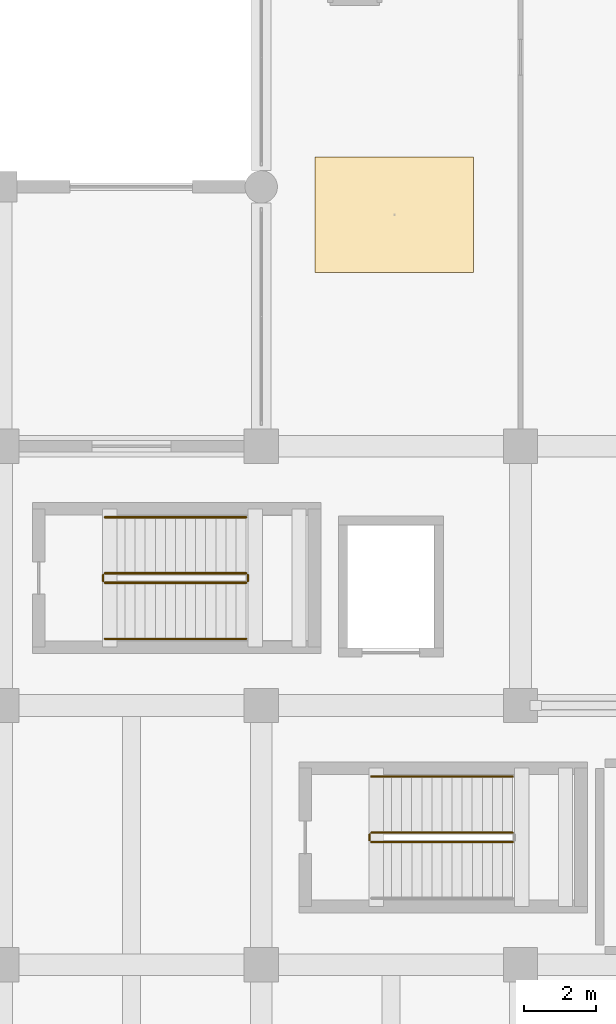
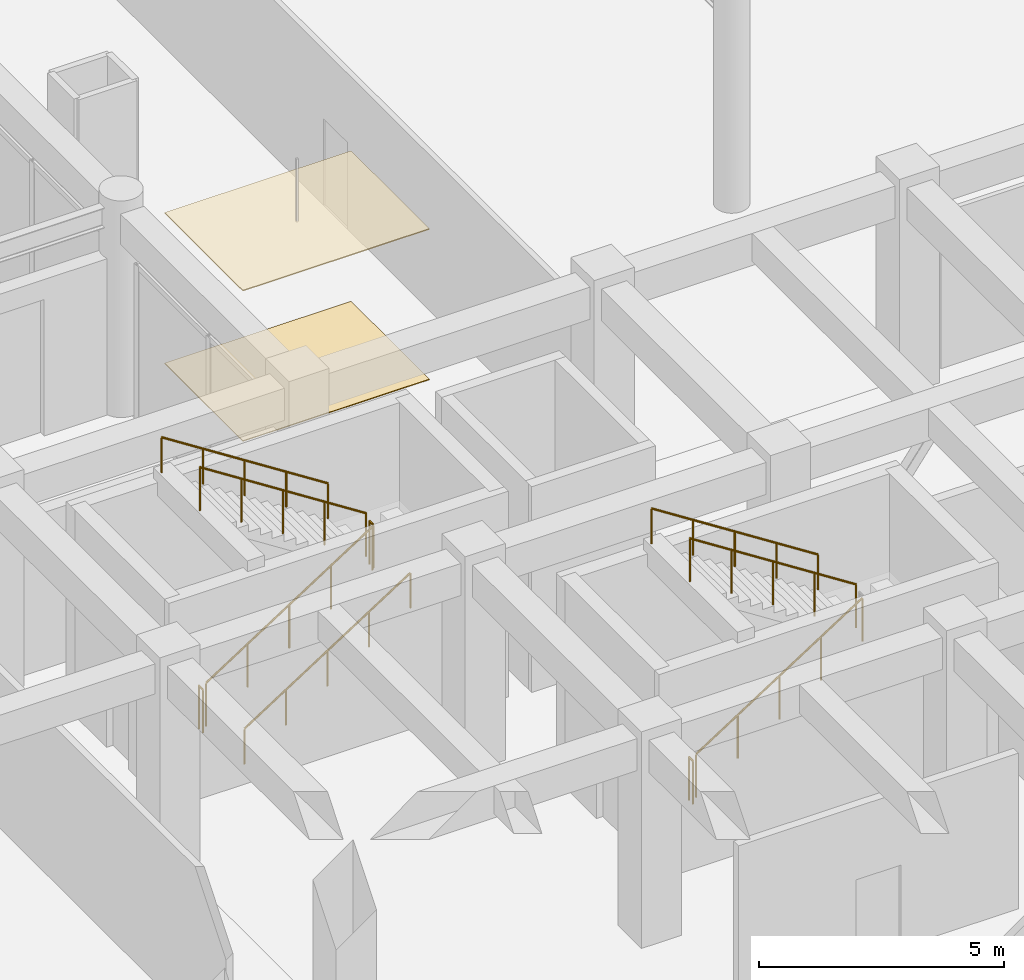
# One storey, part 49 of 56: 10 railings, 2 coverings.
"""IFC4 building model written with IfcOpenShell, lengths in metres."""

from ifc_helpers import new_model, si_unit, direction, frame, origin, origin_2d, place, context, subcontext, project, spatial, rectangle, circle, extrude, material, layer, layer_set, type_object, element, save


model = new_model("IFC4")

# Units and contexts
model_context = context("Model", 3, precision=1e-05, world=origin(), true_north=direction((0.0, 1.0)))
body_context = subcontext(model_context, "Body", "Model", "MODEL_VIEW")
ifc_project = project(units=[si_unit("LENGTHUNIT", "METRE"), si_unit("AREAUNIT", "SQUARE_METRE"), si_unit("VOLUMEUNIT", "CUBIC_METRE"), si_unit("PLANEANGLEUNIT", "RADIAN"), si_unit("MASSUNIT", "GRAM", prefix="KILO")], contexts=[model_context])

# Site, building, storey
site_placement = place(None, origin())
site = spatial("IfcSite", under=ifc_project, at=site_placement, CompositionType="ELEMENT")
building_placement = place(site_placement, origin())
building = spatial("IfcBuilding", under=site, at=building_placement, Name="Kazehaya Institute of Natural Sciences", CompositionType="ELEMENT")
storey_placement = place(building_placement, origin())
storey = spatial("IfcBuildingStorey", under=building, at=storey_placement, Name="L00", CompositionType="ELEMENT", Elevation=0.0)

# Coverings
ifc_material_1 = material(Name="Mineral-fibre acoustic ceiling tile")
ifc_layer_1 = layer(ifc_material_1, 0.02490234375, Name="Mineral-fibre acoustic ceiling tile")
ifc_layer_set_1 = layer_set([ifc_layer_1], Name="Mineral-fibre acoustic ceiling tile")
covering_type_1 = type_object("IfcCoveringType", Name="COV-CEIL-AC", PredefinedType="CEILING", material=ifc_layer_set_1)
covering_1_placement = place(storey_placement, frame((65.5, 42.025390625, 3.74755859375), z_axis=(0.0, 0.0, 1.0), x_axis=(1.0, 0.0, 0.0)))
element("IfcCovering", 1, at=covering_1_placement, inside=storey, type_object=covering_type_1, Name="L00 Public Science Cafe ceiling 10", PredefinedType="CEILING", context=body_context, shape_type="SweptSolid", body=[
    extrude(rectangle(XDim=4.39990234375, YDim=3.199951171875, at=origin_2d()), origin(), (0.0, 0.0, 1.0), 0.02490234375),
])
ifc_material_2 = material(Name="Polished Sawara stone terrazzo flooring", Category="masonry")
ifc_layer_2 = layer(ifc_material_2, 0.02001953125, Name="Polished Sawara stone terrazzo flooring", Category="masonry")
ifc_layer_set_2 = layer_set([ifc_layer_2], Name="Polished Sawara stone terrazzo flooring")
covering_type_2 = type_object("IfcCoveringType", Name="COV-FLR-TRZ", PredefinedType="FLOORING", material=ifc_layer_set_2)
covering_2_placement = place(storey_placement, frame((65.5, 42.025390625, 0.0), z_axis=(0.0, 0.0, 1.0), x_axis=(1.0, 0.0, 0.0)))
element("IfcCovering", 2, at=covering_2_placement, inside=storey, type_object=covering_type_2, Name="L00 Public Science Cafe finish flooring 10", PredefinedType="FLOORING", context=body_context, shape_type="SweptSolid", body=[
    extrude(rectangle(XDim=4.39990234375, YDim=3.199951171875, at=origin_2d()), origin(), (0.0, 0.0, 1.0), 0.02001953125),
])

# Railings
ifc_material_3 = material(Name="Structural steel SN490B", Category="steel")
railing_type_1 = type_object("IfcRailingType", Name="RL-STAIR-GRD", PredefinedType="GUARDRAIL", material=ifc_material_3)
railing_1_placement = place(storey_placement, frame((64.860107421875, 24.610107421875, 0.179931640625)))
element("IfcRailing", 3, at=railing_1_placement, inside=storey, type_object=railing_type_1, Name="L00 ST-1 stair guard 1", PredefinedType="GUARDRAIL", context=body_context, shape_type="SweptSolid", body=[
    extrude(circle(Radius=0.02392578125, at=origin_2d()), frame((0.0, 0.0, 1.076171875), z_axis=(0.841171666519, 0.0, 0.540768182723), x_axis=(0.0, 1.0, 0.0)), (0.0, 0.0, 1.0), 4.66015625),
    extrude(circle(Radius=0.02099609375, at=origin_2d()), origin(), (0.0, 0.0, 1.0), 1.052001953125),
    extrude(circle(Radius=0.02099609375, at=origin_2d()), frame((0.97998046875, 0.0, 0.6298828125)), (0.0, 0.0, 1.0), 1.052001953125),
    extrude(circle(Radius=0.02099609375, at=origin_2d()), frame((1.9599609375, 0.0, 1.260009765625)), (0.0, 0.0, 1.0), 1.052001953125),
    extrude(circle(Radius=0.02099609375, at=origin_2d()), frame((2.93994140625, 0.0, 1.89013671875)), (0.0, 0.0, 1.0), 1.052001953125),
    extrude(circle(Radius=0.02099609375, at=origin_2d()), frame((3.919921875, 0.0, 2.52001953125)), (0.0, 0.0, 1.0), 1.052001953125),
])
railing_2_placement = place(storey_placement, frame((68.780029296875, 24.8701171875, 2.8798828125)))
element("IfcRailing", 4, at=railing_2_placement, inside=storey, type_object=railing_type_1, Name="L00 ST-1 stair guard 3", PredefinedType="GUARDRAIL", context=body_context, shape_type="SweptSolid", body=[
    extrude(circle(Radius=0.02392578125, at=origin_2d()), frame((0.0, 0.0, 1.076171875), z_axis=(-0.841171666519, 0.0, 0.540768182723), x_axis=(0.0, -1.0, 0.0)), (0.0, 0.0, 1.0), 4.66015625),
    extrude(circle(Radius=0.02099609375, at=origin_2d()), origin(), (0.0, 0.0, 1.0), 1.052001953125),
    extrude(circle(Radius=0.02099609375, at=origin_2d()), frame((-0.97998046875, 0.0, 0.6298828125)), (0.0, 0.0, 1.0), 1.052001953125),
    extrude(circle(Radius=0.02099609375, at=origin_2d()), frame((-1.9599609375, 0.0, 1.260009765625)), (0.0, 0.0, 1.0), 1.052001953125),
    extrude(circle(Radius=0.02099609375, at=origin_2d()), frame((-2.93994140625, 0.0, 1.89013671875)), (0.0, 0.0, 1.0), 1.052001953125),
    extrude(circle(Radius=0.02099609375, at=origin_2d()), frame((-3.919921875, 0.0, 2.52001953125)), (0.0, 0.0, 1.0), 1.052001953125),
])
railing_3_placement = place(storey_placement, frame((64.81005859375, 24.659912109375, 0.0)))
element("IfcRailing", 5, at=railing_3_placement, inside=storey, type_object=railing_type_1, Name="L00 ST-1 stair guard 4", PredefinedType="GUARDRAIL", context=body_context, shape_type="SweptSolid", body=[
    extrude(circle(Radius=0.02392578125, at=origin_2d()), frame((0.0, 0.0, 1.076171875), z_axis=(0.0, 1.0, 0.0), x_axis=(-1.0, 0.0, 0.0)), (0.0, 0.0, 1.0), 0.16015625),
    extrude(circle(Radius=0.02099609375, at=origin_2d()), origin(), (0.0, 0.0, 1.0), 1.052001953125),
    extrude(circle(Radius=0.02099609375, at=origin_2d()), frame((0.0, 0.16015625, 0.0)), (0.0, 0.0, 1.0), 1.052001953125),
])
railing_4_placement = place(storey_placement, frame((57.4599609375, 31.81005859375, 0.179931640625)))
element("IfcRailing", 6, at=railing_4_placement, inside=storey, type_object=railing_type_1, Name="L00 ST-4 stair guard 1", PredefinedType="GUARDRAIL", context=body_context, shape_type="SweptSolid", body=[
    extrude(circle(Radius=0.02392578125, at=origin_2d()), frame((0.0, 0.0, 1.076171875), z_axis=(0.841171666519, 0.0, 0.540768182723), x_axis=(0.0, 1.0, 0.0)), (0.0, 0.0, 1.0), 4.66015625),
    extrude(circle(Radius=0.02099609375, at=origin_2d()), origin(), (0.0, 0.0, 1.0), 1.052001953125),
    extrude(circle(Radius=0.02099609375, at=origin_2d()), frame((0.97998046875, 0.0, 0.6298828125)), (0.0, 0.0, 1.0), 1.052001953125),
    extrude(circle(Radius=0.02099609375, at=origin_2d()), frame((1.9599609375, 0.0, 1.260009765625)), (0.0, 0.0, 1.0), 1.052001953125),
    extrude(circle(Radius=0.02099609375, at=origin_2d()), frame((2.93994140625, 0.0, 1.89013671875)), (0.0, 0.0, 1.0), 1.052001953125),
    extrude(circle(Radius=0.02099609375, at=origin_2d()), frame((3.919921875, 0.0, 2.52001953125)), (0.0, 0.0, 1.0), 1.052001953125),
])
railing_5_placement = place(storey_placement, frame((61.429931640625, 31.860107421875, 2.699951171875)))
element("IfcRailing", 7, at=railing_5_placement, inside=storey, type_object=railing_type_1, Name="L00 ST-4 stair guard 2", PredefinedType="GUARDRAIL", context=body_context, shape_type="SweptSolid", body=[
    extrude(circle(Radius=0.02392578125, at=origin_2d()), frame((0.0, 0.0, 1.076171875), z_axis=(0.0, 1.0, 0.0), x_axis=(-1.0, 0.0, 0.0)), (0.0, 0.0, 1.0), 0.159912109375),
    extrude(circle(Radius=0.02099609375, at=origin_2d()), origin(), (0.0, 0.0, 1.0), 1.052001953125),
    extrude(circle(Radius=0.02099609375, at=origin_2d()), frame((0.0, 0.159912109375, 0.0)), (0.0, 0.0, 1.0), 1.052001953125),
])
railing_6_placement = place(storey_placement, frame((61.3798828125, 32.070068359375, 2.8798828125)))
element("IfcRailing", 8, at=railing_6_placement, inside=storey, type_object=railing_type_1, Name="L00 ST-4 stair guard 3", PredefinedType="GUARDRAIL", context=body_context, shape_type="SweptSolid", body=[
    extrude(circle(Radius=0.02392578125, at=origin_2d()), frame((0.0, 0.0, 1.076171875), z_axis=(-0.841171666519, 0.0, 0.540768182723), x_axis=(0.0, -1.0, 0.0)), (0.0, 0.0, 1.0), 4.66015625),
    extrude(circle(Radius=0.02099609375, at=origin_2d()), origin(), (0.0, 0.0, 1.0), 1.052001953125),
    extrude(circle(Radius=0.02099609375, at=origin_2d()), frame((-0.97998046875, 0.0, 0.6298828125)), (0.0, 0.0, 1.0), 1.052001953125),
    extrude(circle(Radius=0.02099609375, at=origin_2d()), frame((-1.9599609375, 0.0, 1.260009765625)), (0.0, 0.0, 1.0), 1.052001953125),
    extrude(circle(Radius=0.02099609375, at=origin_2d()), frame((-2.93994140625, 0.0, 1.89013671875)), (0.0, 0.0, 1.0), 1.052001953125),
    extrude(circle(Radius=0.02099609375, at=origin_2d()), frame((-3.919921875, 0.0, 2.52001953125)), (0.0, 0.0, 1.0), 1.052001953125),
])
railing_7_placement = place(storey_placement, frame((57.409912109375, 31.860107421875, 0.0)))
element("IfcRailing", 9, at=railing_7_placement, inside=storey, type_object=railing_type_1, Name="L00 ST-4 stair guard 4", PredefinedType="GUARDRAIL", context=body_context, shape_type="SweptSolid", body=[
    extrude(circle(Radius=0.02392578125, at=origin_2d()), frame((0.0, 0.0, 1.076171875), z_axis=(0.0, 1.0, 0.0), x_axis=(-1.0, 0.0, 0.0)), (0.0, 0.0, 1.0), 0.159912109375),
    extrude(circle(Radius=0.02099609375, at=origin_2d()), origin(), (0.0, 0.0, 1.0), 1.052001953125),
    extrude(circle(Radius=0.02099609375, at=origin_2d()), frame((0.0, 0.159912109375, 0.0)), (0.0, 0.0, 1.0), 1.052001953125),
])
ifc_material_4 = material(Name="Brushed stainless steel handrail", Category="steel")
railing_type_2 = type_object("IfcRailingType", Name="RL-STAIR-HND", PredefinedType="HANDRAIL", material=ifc_material_4)
railing_8_placement = place(storey_placement, frame((68.780029296875, 26.429931640625, 2.8798828125)))
element("IfcRailing", 10, at=railing_8_placement, inside=storey, type_object=railing_type_2, Name="L00 ST-1 stair handrail 2", PredefinedType="HANDRAIL", context=body_context, shape_type="SweptSolid", body=[
    extrude(circle(Radius=0.02392578125, at=origin_2d()), frame((0.0, 0.0, 0.8759765625), z_axis=(-0.841171666519, 0.0, 0.540768182723), x_axis=(0.0, -1.0, 0.0)), (0.0, 0.0, 1.0), 4.66015625),
    extrude(circle(Radius=0.02099609375, at=origin_2d()), origin(), (0.0, 0.0, 1.0), 0.851806640625),
    extrude(circle(Radius=0.02099609375, at=origin_2d()), frame((-0.97998046875, 0.0, 0.6298828125)), (0.0, 0.0, 1.0), 0.851806640625),
    extrude(circle(Radius=0.02099609375, at=origin_2d()), frame((-1.9599609375, 0.0, 1.260009765625)), (0.0, 0.0, 1.0), 0.851806640625),
    extrude(circle(Radius=0.02099609375, at=origin_2d()), frame((-2.93994140625, 0.0, 1.89013671875)), (0.0, 0.0, 1.0), 0.851806640625),
    extrude(circle(Radius=0.02099609375, at=origin_2d()), frame((-3.919921875, 0.0, 2.52001953125)), (0.0, 0.0, 1.0), 0.851806640625),
])
railing_9_placement = place(storey_placement, frame((57.4599609375, 30.25, 0.179931640625)))
element("IfcRailing", 11, at=railing_9_placement, inside=storey, type_object=railing_type_2, Name="L00 ST-4 stair handrail 1", PredefinedType="HANDRAIL", context=body_context, shape_type="SweptSolid", body=[
    extrude(circle(Radius=0.02392578125, at=origin_2d()), frame((0.0, 0.0, 0.8759765625), z_axis=(0.841171666519, 0.0, 0.540768182723), x_axis=(0.0, 1.0, 0.0)), (0.0, 0.0, 1.0), 4.66015625),
    extrude(circle(Radius=0.02099609375, at=origin_2d()), origin(), (0.0, 0.0, 1.0), 0.851806640625),
    extrude(circle(Radius=0.02099609375, at=origin_2d()), frame((0.97998046875, 0.0, 0.6298828125)), (0.0, 0.0, 1.0), 0.851806640625),
    extrude(circle(Radius=0.02099609375, at=origin_2d()), frame((1.9599609375, 0.0, 1.260009765625)), (0.0, 0.0, 1.0), 0.851806640625),
    extrude(circle(Radius=0.02099609375, at=origin_2d()), frame((2.93994140625, 0.0, 1.89013671875)), (0.0, 0.0, 1.0), 0.851806640625),
    extrude(circle(Radius=0.02099609375, at=origin_2d()), frame((3.919921875, 0.0, 2.52001953125)), (0.0, 0.0, 1.0), 0.851806640625),
])
railing_10_placement = place(storey_placement, frame((61.3798828125, 33.6298828125, 2.8798828125)))
element("IfcRailing", 12, at=railing_10_placement, inside=storey, type_object=railing_type_2, Name="L00 ST-4 stair handrail 2", PredefinedType="HANDRAIL", context=body_context, shape_type="SweptSolid", body=[
    extrude(circle(Radius=0.02392578125, at=origin_2d()), frame((0.0, 0.0, 0.8759765625), z_axis=(-0.841171666519, 0.0, 0.540768182723), x_axis=(0.0, -1.0, 0.0)), (0.0, 0.0, 1.0), 4.66015625),
    extrude(circle(Radius=0.02099609375, at=origin_2d()), origin(), (0.0, 0.0, 1.0), 0.851806640625),
    extrude(circle(Radius=0.02099609375, at=origin_2d()), frame((-0.97998046875, 0.0, 0.6298828125)), (0.0, 0.0, 1.0), 0.851806640625),
    extrude(circle(Radius=0.02099609375, at=origin_2d()), frame((-1.9599609375, 0.0, 1.260009765625)), (0.0, 0.0, 1.0), 0.851806640625),
    extrude(circle(Radius=0.02099609375, at=origin_2d()), frame((-2.93994140625, 0.0, 1.89013671875)), (0.0, 0.0, 1.0), 0.851806640625),
    extrude(circle(Radius=0.02099609375, at=origin_2d()), frame((-3.919921875, 0.0, 2.52001953125)), (0.0, 0.0, 1.0), 0.851806640625),
])

save(model, "model.ifc")
